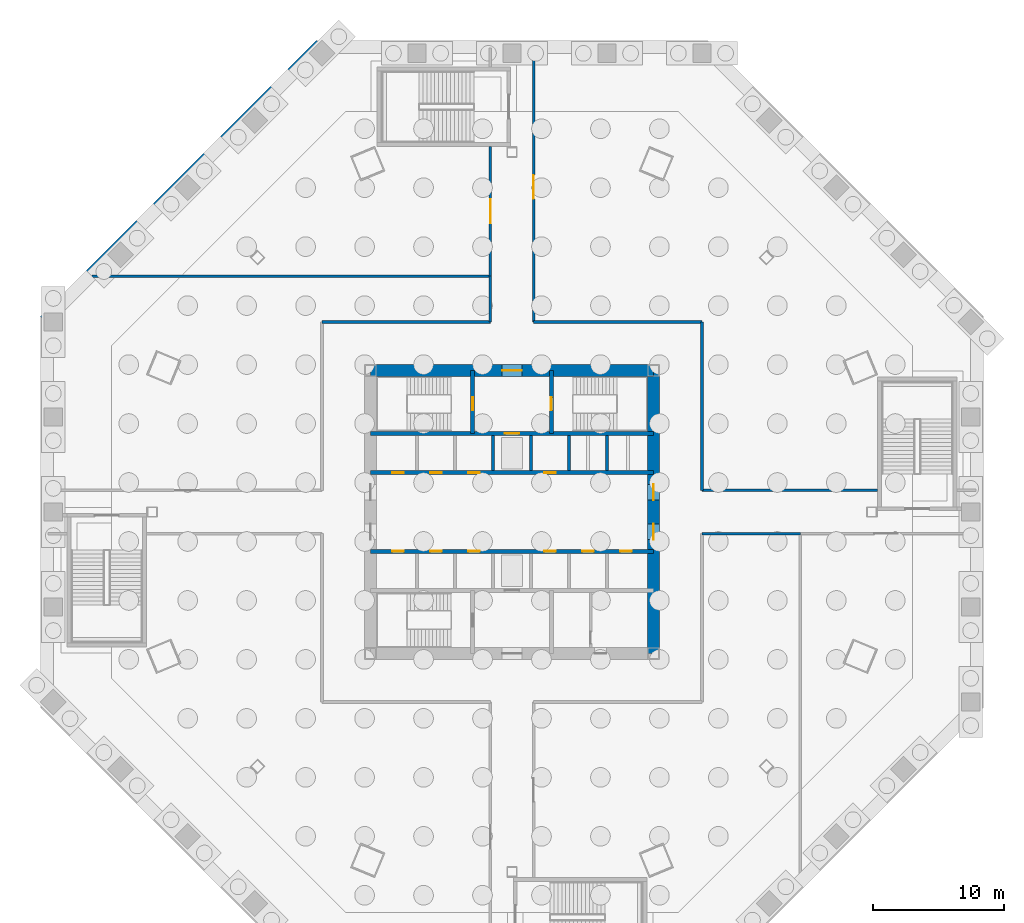
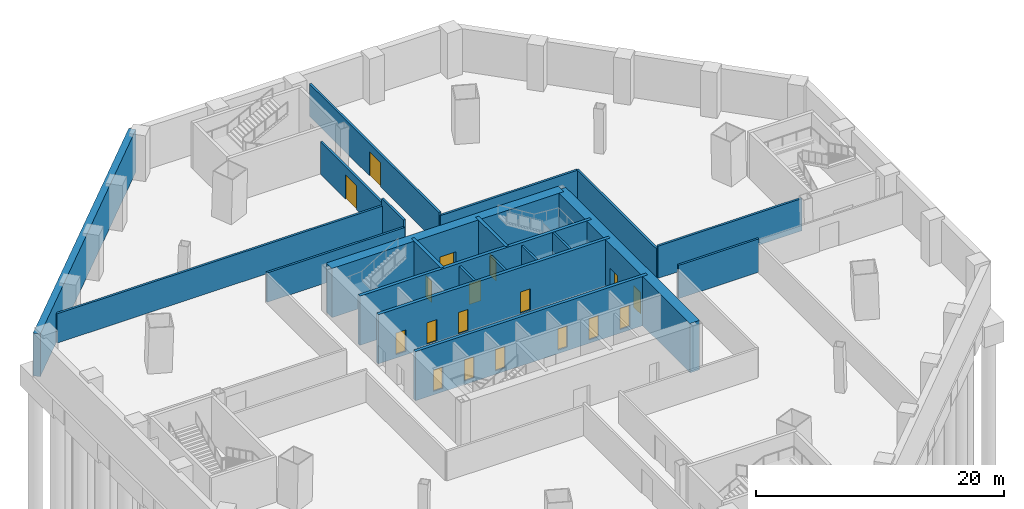
# One storey, part 5 of 11: 21 walls, 18 doors, 18 openings.
"""IFC4 building model written with IfcOpenShell, lengths in metres."""

from ifc_helpers import new_model, si_unit, direction, frame, frame_2d, origin, place, context, subcontext, project, spatial, rectangle, extrude, material, layer, layer_set, type_object, element, fill, save


model = new_model("IFC4")

# Units and contexts
model_context = context("Model", 3, precision=1e-05, world=origin(), true_north=direction((0.0, 1.0)))
body_context = subcontext(model_context, "Body", "Model", "MODEL_VIEW")
ifc_project = project(units=[si_unit("LENGTHUNIT", "METRE"), si_unit("AREAUNIT", "SQUARE_METRE"), si_unit("VOLUMEUNIT", "CUBIC_METRE"), si_unit("PLANEANGLEUNIT", "RADIAN"), si_unit("MASSUNIT", "GRAM", prefix="KILO")], contexts=[model_context])

# Site, building, storey
site_placement = place(None, origin())
site = spatial("IfcSite", under=ifc_project, at=site_placement, CompositionType="ELEMENT")
building_placement = place(site_placement, origin())
building = spatial("IfcBuilding", under=site, at=building_placement, Name="Mashrafa Tower", CompositionType="ELEMENT")
storey_placement = place(building_placement, frame((0.0, 0.0, -9.0)))
storey = spatial("IfcBuildingStorey", under=building, at=storey_placement, Name="B2", CompositionType="ELEMENT", Elevation=-9.0)

# Walls
ifc_material_1 = material(Name="Concrete C40/50", Category="concrete")
ifc_layer_1 = layer(ifc_material_1, 0.60009765625)
ifc_layer_set_1 = layer_set([ifc_layer_1], Name="Basement retaining wall 600")
wall_type_1 = type_object("IfcWallType", Name="Basement retaining wall 600", PredefinedType="SOLIDWALL", material=ifc_layer_set_1)
wall_1_placement = place(storey_placement, frame((-14.699462890625, 35.787841796875, 0.0), z_axis=(0.0, 0.0, 1.0), x_axis=(-0.707106781187, -0.707106781187, 0.0)))
element("IfcWall", 1, at=wall_1_placement, inside=storey, type_object=wall_type_1, Name="Basement retaining wall B2 north-west", PredefinedType="SOLIDWALL", context=body_context, shape_type="SweptSolid", body=[
    extrude(rectangle(XDim=29.823486328125, YDim=0.60009765625, at=frame_2d((14.91162109375, 0.0))), origin(), (0.0, 0.0, 1.0), 4.199951171875),
])
ifc_material_2 = material(Name="Concrete masonry unit", Category="masonry")
ifc_layer_2 = layer(ifc_material_2, 0.199951171875)
ifc_layer_set_2 = layer_set([ifc_layer_2], Name="Blockwork wall 200 2 hr")
wall_type_2 = type_object("IfcWallType", Name="Blockwork wall 200 2 hr", PredefinedType="PARTITIONING", material=ifc_layer_set_2)
wall_2_placement = place(storey_placement, frame((27.900390625, 1.64990234375, 0.0), z_axis=(0.0, 0.0, 1.0), x_axis=(-1.0, 0.0, 0.0)))
element("IfcWall", 2, at=wall_2_placement, inside=storey, type_object=wall_type_2, Name="Blockwork wall B2-001", PredefinedType="PARTITIONING", context=body_context, shape_type="SweptSolid", body=[
    extrude(rectangle(XDim=13.400390625, YDim=0.199951171875, at=frame_2d((6.7001953125, 0.0))), origin(), (0.0, 0.0, 1.0), 3.17919921875),
])
for number, where, z_axis, x_axis, name in (
    (3, (14.5, 1.64990234375, 0.0), (0.0, 0.0, 1.0), (0.0, 1.0, 0.0), "Blockwork wall B2-002"),
    (4, (14.5, 14.5, 0.0), (0.0, 0.0, 1.0), (-1.0, 0.0, 0.0), "Blockwork wall B2-003"),
):
    element("IfcWall", number, at=place(storey_placement, frame(where, z_axis=z_axis, x_axis=x_axis)), inside=storey, type_object=wall_type_2, Name=name, PredefinedType="PARTITIONING", context=body_context, shape_type="SweptSolid", body=[
        extrude(rectangle(XDim=12.85009765625, YDim=0.199951171875, at=frame_2d((6.425048828125, 0.0))), origin(), (0.0, 0.0, 1.0), 2.889892578125),
    ])

# Wall, opening, door
wall_3_placement = place(storey_placement, frame((1.64990234375, 14.5, 0.0), z_axis=(0.0, 0.0, 1.0), x_axis=(0.0, 1.0, 0.0)))
wall_3 = element("IfcWall", 5, at=wall_3_placement, inside=storey, type_object=wall_type_2, Name="Blockwork wall B2-004", PredefinedType="PARTITIONING", context=body_context, shape_type="SweptSolid", body=[
    extrude(rectangle(XDim=20.89501953125, YDim=0.199951171875, at=frame_2d((10.447509765625, 0.0))), origin(), (0.0, 0.0, 1.0), 3.17919921875),
])
opening_1_placement = place(wall_3_placement, frame((9.39990234375, 0.0, 0.0)))
opening_1 = element("IfcOpeningElement", 6, at=opening_1_placement, cuts=wall_3, Name="Opening B2.001", PredefinedType="OPENING", context=body_context, shape_type="SweptSolid", body=[
    extrude(rectangle(XDim=1.800048828125, YDim=2.39990234375, at=frame_2d((0.89990234375, 1.199951171875))), frame((0.0, 0.10986328125, 0.0), z_axis=(0.0, -1.0, 0.0), x_axis=(1.0, 0.0, 0.0)), (0.0, 0.0, 1.0), 0.219970703125),
])
ifc_material_3 = material(Name="Steel door", Category="steel")
door_type_1 = type_object("IfcDoorType", Name="Door pair 1800 x 2400 90 min", OperationType="DOUBLE_DOOR_SINGLE_SWING", PredefinedType="DOOR", material=ifc_material_3)
door_1_placement = place(opening_1_placement, frame((1.800048828125, 0.0, 0.0), z_axis=(0.0, 0.0, 1.0), x_axis=(-1.0, 0.0, 0.0)))
door_1 = element("IfcDoor", 7, at=door_1_placement, inside=storey, type_object=door_type_1, Name="Water Tank Room B2 door", OperationType="DOUBLE_DOOR_SINGLE_SWING", OverallHeight=2.39990234375, OverallWidth=1.800048828125, PredefinedType="DOOR", context=body_context, shape_type="SweptSolid", body=[
    extrude(rectangle(XDim=1.800048828125, YDim=2.39990234375, at=frame_2d((0.89990234375, 1.199951171875))), frame((0.0, 0.02490234375, 0.0), z_axis=(0.0, -1.0, 0.0), x_axis=(1.0, 0.0, 0.0)), (0.0, 0.0, 1.0), 0.050048828125),
])
fill(opening_1, door_1)

# Walls
wall_4_placement = place(storey_placement, frame((-1.64990234375, 18.0009765625, 0.0), z_axis=(0.0, 0.0, 1.0), x_axis=(0.0, -1.0, 0.0)))
element("IfcWall", 8, at=wall_4_placement, inside=storey, type_object=wall_type_2, Name="Blockwork wall B2-006", PredefinedType="PARTITIONING", context=body_context, shape_type="SweptSolid", body=[
    extrude(rectangle(XDim=3.5009765625, YDim=0.199951171875, at=frame_2d((1.75048828125, 0.0))), origin(), (0.0, 0.0, 1.0), 3.5830078125),
])
wall_5_placement = place(storey_placement, frame((-1.64990234375, 14.5, 0.0), z_axis=(0.0, 0.0, 1.0), x_axis=(-1.0, 0.0, 0.0)))
element("IfcWall", 9, at=wall_5_placement, inside=storey, type_object=wall_type_2, Name="Blockwork wall B2-007", PredefinedType="PARTITIONING", context=body_context, shape_type="SweptSolid", body=[
    extrude(rectangle(XDim=12.85009765625, YDim=0.199951171875, at=frame_2d((6.425048828125, 0.0))), origin(), (0.0, 0.0, 1.0), 2.889892578125),
])

# Wall, opening, door
wall_6_placement = place(storey_placement, frame((-1.64990234375, 27.900390625, 0.0), z_axis=(0.0, 0.0, 1.0), x_axis=(0.0, -1.0, 0.0)))
wall_6 = element("IfcWall", 10, at=wall_6_placement, inside=storey, type_object=wall_type_2, Name="Blockwork wall B2-010", PredefinedType="PARTITIONING", context=body_context, shape_type="SweptSolid", body=[
    extrude(rectangle(XDim=9.9013671875, YDim=0.199951171875, at=frame_2d((4.95068359375, 0.0))), origin(), (0.0, 0.0, 1.0), 3.17919921875),
])
opening_2_placement = place(wall_6_placement, frame((4.05078125, 0.0, 0.0)))
opening_2 = element("IfcOpeningElement", 11, at=opening_2_placement, cuts=wall_6, Name="Opening B2.003", PredefinedType="OPENING", context=body_context, shape_type="SweptSolid", body=[
    extrude(rectangle(XDim=1.800048828125, YDim=2.39990234375, at=frame_2d((0.89990234375, 1.199951171875))), frame((0.0, 0.10986328125, 0.0), z_axis=(0.0, -1.0, 0.0), x_axis=(1.0, 0.0, 0.0)), (0.0, 0.0, 1.0), 0.219970703125),
])
door_2_placement = place(opening_2_placement, frame((1.800048828125, 0.0, 0.0), z_axis=(0.0, 0.0, 1.0), x_axis=(-1.0, 0.0, 0.0)))
door_2 = element("IfcDoor", 12, at=door_2_placement, inside=storey, type_object=door_type_1, Name="Generator Room B2 door", OperationType="DOUBLE_DOOR_SINGLE_SWING", OverallHeight=2.39990234375, OverallWidth=1.800048828125, PredefinedType="DOOR", context=body_context, shape_type="SweptSolid", body=[
    extrude(rectangle(XDim=1.800048828125, YDim=2.39990234375, at=frame_2d((0.89990234375, 1.199951171875))), frame((0.0, 0.02490234375, 0.0), z_axis=(0.0, -1.0, 0.0), x_axis=(1.0, 0.0, 0.0)), (0.0, 0.0, 1.0), 0.050048828125),
])
fill(opening_2, door_2)

# Walls
wall_7_placement = place(storey_placement, frame((14.5, -1.64990234375, 0.0), z_axis=(0.0, 0.0, 1.0), x_axis=(1.0, 0.0, 0.0)))
element("IfcWall", 13, at=wall_7_placement, inside=storey, type_object=wall_type_2, Name="Blockwork wall B2-021", PredefinedType="PARTITIONING", context=body_context, shape_type="SweptSolid", body=[
    extrude(rectangle(XDim=7.5009765625, YDim=0.199951171875, at=frame_2d((3.75048828125, 0.0))), origin(), (0.0, 0.0, 1.0), 3.278076171875),
])
wall_8_placement = place(storey_placement, frame((-1.64990234375, 18.0, 0.0), z_axis=(0.0, 0.0, 1.0), x_axis=(-1.0, 0.0, 0.0)))
element("IfcWall", 14, at=wall_8_placement, inside=storey, type_object=wall_type_2, Name="Blockwork wall B2-023", PredefinedType="PARTITIONING", context=body_context, shape_type="SweptSolid", body=[
    extrude(rectangle(XDim=30.408203125, YDim=0.199951171875, at=frame_2d((15.2041015625, 0.0))), origin(), (0.0, 0.0, 1.0), 2.889892578125),
])

# Wall, openings, doors
ifc_material_4 = material(Name="Concrete C60/75", Category="concrete")
ifc_layer_3 = layer(ifc_material_4, 0.300048828125)
ifc_layer_set_3 = layer_set([ifc_layer_3], Name="Core wall 300 C60/75")
wall_type_3 = type_object("IfcWallType", Name="Core wall 300 C60/75", PredefinedType="SOLIDWALL", material=ifc_layer_set_3)
wall_9_placement = place(storey_placement, frame((-10.800048828125, 3.0, -0.35009765625), z_axis=(0.0, 0.0, 1.0), x_axis=(1.0, 0.0, 0.0)))
wall_9 = element("IfcWall", 15, at=wall_9_placement, inside=storey, type_object=wall_type_3, Name="Core wall CH-N B2", PredefinedType="SOLIDWALL", context=body_context, shape_type="SweptSolid", body=[
    extrude(rectangle(XDim=21.60009765625, YDim=0.300048828125, at=frame_2d((10.800048828125, 0.0))), origin(), (0.0, 0.0, 1.0), 4.85009765625),
])
opening_3_placement = place(wall_9_placement, frame((1.64990234375, 0.0, 0.35009765625)))
opening_3 = element("IfcOpeningElement", 16, at=opening_3_placement, cuts=wall_9, Name="Opening B2.018", PredefinedType="OPENING", context=body_context, shape_type="SweptSolid", body=[
    extrude(rectangle(XDim=0.89990234375, YDim=2.10009765625, at=frame_2d((0.449951171875, 1.050048828125))), frame((0.0, 0.159912109375, 0.0), z_axis=(0.0, -1.0, 0.0), x_axis=(1.0, 0.0, 0.0)), (0.0, 0.0, 1.0), 0.320068359375),
])
opening_4_placement = place(wall_9_placement, frame((4.550048828125, 0.0, 0.35009765625)))
opening_4 = element("IfcOpeningElement", 17, at=opening_4_placement, cuts=wall_9, Name="Opening B2.019", PredefinedType="OPENING", context=body_context, shape_type="SweptSolid", body=[
    extrude(rectangle(XDim=0.89990234375, YDim=2.10009765625, at=frame_2d((0.449951171875, 1.050048828125))), frame((0.0, 0.159912109375, 0.0), z_axis=(0.0, -1.0, 0.0), x_axis=(1.0, 0.0, 0.0)), (0.0, 0.0, 1.0), 0.320068359375),
])
opening_5_placement = place(wall_9_placement, frame((7.449951171875, 0.0, 0.35009765625)))
opening_5 = element("IfcOpeningElement", 18, at=opening_5_placement, cuts=wall_9, Name="Opening B2.020", PredefinedType="OPENING", context=body_context, shape_type="SweptSolid", body=[
    extrude(rectangle(XDim=0.89990234375, YDim=2.10009765625, at=frame_2d((0.449951171875, 1.050048828125))), frame((0.0, 0.159912109375, 0.0), z_axis=(0.0, -1.0, 0.0), x_axis=(1.0, 0.0, 0.0)), (0.0, 0.0, 1.0), 0.320068359375),
])
opening_6_placement = place(wall_9_placement, frame((13.25, 0.0, 0.35009765625)))
opening_6 = element("IfcOpeningElement", 19, at=opening_6_placement, cuts=wall_9, Name="Opening B2.021", PredefinedType="OPENING", context=body_context, shape_type="SweptSolid", body=[
    extrude(rectangle(XDim=0.89990234375, YDim=2.10009765625, at=frame_2d((0.449951171875, 1.050048828125))), frame((0.0, 0.159912109375, 0.0), z_axis=(0.0, -1.0, 0.0), x_axis=(1.0, 0.0, 0.0)), (0.0, 0.0, 1.0), 0.320068359375),
])
ifc_material_5 = material(Name="Timber door", Category="wood")
door_type_2 = type_object("IfcDoorType", Name="Store door 900 x 2100", OperationType="USERDEFINED", PredefinedType="DOOR", material=ifc_material_5)
door_3_placement = place(opening_3_placement, origin())
door_3 = element("IfcDoor", 20, at=door_3_placement, inside=storey, type_object=door_type_2, Name="Services Store B2-A1 door", OperationType="SINGLE_SWING_RIGHT", OverallHeight=2.10009765625, OverallWidth=0.89990234375, PredefinedType="DOOR", context=body_context, shape_type="SweptSolid", body=[
    extrude(rectangle(XDim=0.89990234375, YDim=2.10009765625, at=frame_2d((0.449951171875, 1.050048828125))), frame((0.0, 0.02490234375, 0.0), z_axis=(0.0, -1.0, 0.0), x_axis=(1.0, 0.0, 0.0)), (0.0, 0.0, 1.0), 0.050048828125),
])
fill(opening_3, door_3)
door_4_placement = place(opening_4_placement, origin())
door_4 = element("IfcDoor", 21, at=door_4_placement, inside=storey, type_object=door_type_2, Name="Services Store B2-A2 door", OperationType="SINGLE_SWING_LEFT", OverallHeight=2.10009765625, OverallWidth=0.89990234375, PredefinedType="DOOR", context=body_context, shape_type="SweptSolid", body=[
    extrude(rectangle(XDim=0.89990234375, YDim=2.10009765625, at=frame_2d((0.449951171875, 1.050048828125))), frame((0.0, 0.02490234375, 0.0), z_axis=(0.0, -1.0, 0.0), x_axis=(1.0, 0.0, 0.0)), (0.0, 0.0, 1.0), 0.050048828125),
])
fill(opening_4, door_4)
door_5_placement = place(opening_5_placement, origin())
door_5 = element("IfcDoor", 22, at=door_5_placement, inside=storey, type_object=door_type_2, Name="Services Store B2-A3 door", OperationType="SINGLE_SWING_LEFT", OverallHeight=2.10009765625, OverallWidth=0.89990234375, PredefinedType="DOOR", context=body_context, shape_type="SweptSolid", body=[
    extrude(rectangle(XDim=0.89990234375, YDim=2.10009765625, at=frame_2d((0.449951171875, 1.050048828125))), frame((0.0, 0.02490234375, 0.0), z_axis=(0.0, -1.0, 0.0), x_axis=(1.0, 0.0, 0.0)), (0.0, 0.0, 1.0), 0.050048828125),
])
fill(opening_5, door_5)
door_6_placement = place(opening_6_placement, origin())
door_6 = element("IfcDoor", 23, at=door_6_placement, inside=storey, type_object=door_type_2, Name="Services Store B2-A4 door", OperationType="SINGLE_SWING_LEFT", OverallHeight=2.10009765625, OverallWidth=0.89990234375, PredefinedType="DOOR", context=body_context, shape_type="SweptSolid", body=[
    extrude(rectangle(XDim=0.89990234375, YDim=2.10009765625, at=frame_2d((0.449951171875, 1.050048828125))), frame((0.0, 0.02490234375, 0.0), z_axis=(0.0, -1.0, 0.0), x_axis=(1.0, 0.0, 0.0)), (0.0, 0.0, 1.0), 0.050048828125),
])
fill(opening_6, door_6)

# Wall, opening, door
wall_10_placement = place(storey_placement, frame((-10.800048828125, 6.0, -0.35009765625), z_axis=(0.0, 0.0, 1.0), x_axis=(1.0, 0.0, 0.0)))
wall_10 = element("IfcWall", 24, at=wall_10_placement, inside=storey, type_object=wall_type_3, Name="Core wall CB-N B2", PredefinedType="SOLIDWALL", context=body_context, shape_type="SweptSolid", body=[
    extrude(rectangle(XDim=21.60009765625, YDim=0.300048828125, at=frame_2d((10.800048828125, 0.0))), origin(), (0.0, 0.0, 1.0), 4.85009765625),
])
opening_7_placement = place(wall_10_placement, frame((10.25, 0.0, 0.35009765625)))
opening_7 = element("IfcOpeningElement", 25, at=opening_7_placement, cuts=wall_10, Name="Opening B2.F1", PredefinedType="OPENING", context=body_context, shape_type="SweptSolid", body=[
    extrude(rectangle(XDim=1.10009765625, YDim=2.10009765625, at=frame_2d((0.550048828125, 1.050048828125))), frame((0.0, 0.159912109375, 0.0), z_axis=(0.0, -1.0, 0.0), x_axis=(1.0, 0.0, 0.0)), (0.0, 0.0, 1.0), 0.320068359375),
])
ifc_material_6 = material(Name="Steel door", Category="steel")
door_type_3 = type_object("IfcDoorType", Name="Lift landing door 1100 x 2100 90 min", OperationType="DOUBLE_DOOR_SLIDING", PredefinedType="DOOR", material=ifc_material_6)
door_7_placement = place(opening_7_placement, origin())
door_7 = element("IfcDoor", 26, at=door_7_placement, inside=storey, type_object=door_type_3, Name="Lift landing door F1 B2", OperationType="DOUBLE_DOOR_SLIDING", OverallHeight=2.10009765625, OverallWidth=1.10009765625, PredefinedType="DOOR", context=body_context, shape_type="SweptSolid", body=[
    extrude(rectangle(XDim=1.10009765625, YDim=2.10009765625, at=frame_2d((0.550048828125, 1.050048828125))), frame((0.0, 0.02490234375, 0.0), z_axis=(0.0, -1.0, 0.0), x_axis=(1.0, 0.0, 0.0)), (0.0, 0.0, 1.0), 0.050048828125),
])
fill(opening_7, door_7)

wall_11_placement = place(storey_placement, frame((-3.0, 6.0, -0.35009765625), z_axis=(0.0, 0.0, 1.0), x_axis=(0.0, 1.0, 0.0)))
wall_11 = element("IfcWall", 27, at=wall_11_placement, inside=storey, type_object=wall_type_3, Name="Core wall CX-NW B2", PredefinedType="SOLIDWALL", context=body_context, shape_type="SweptSolid", body=[
    extrude(rectangle(XDim=4.800048828125, YDim=0.300048828125, at=frame_2d((2.39990234375, 0.0))), origin(), (0.0, 0.0, 1.0), 4.85009765625),
])
opening_8_placement = place(wall_11_placement, frame((1.75, 0.0, 0.35009765625)))
opening_8 = element("IfcOpeningElement", 28, at=opening_8_placement, cuts=wall_11, Name="Opening B2.013", PredefinedType="OPENING", context=body_context, shape_type="SweptSolid", body=[
    extrude(rectangle(XDim=1.0, YDim=2.10009765625, at=frame_2d((0.5, 1.050048828125))), frame((0.0, 0.159912109375, 0.0), z_axis=(0.0, -1.0, 0.0), x_axis=(1.0, 0.0, 0.0)), (0.0, 0.0, 1.0), 0.320068359375),
])
ifc_material_7 = material(Name="Steel door", Category="steel")
door_type_4 = type_object("IfcDoorType", Name="Stair door 1000 x 2100 90 min", OperationType="USERDEFINED", PredefinedType="DOOR", material=ifc_material_7)
door_8_placement = place(opening_8_placement, origin())
door_8 = element("IfcDoor", 29, at=door_8_placement, inside=storey, type_object=door_type_4, Name="Stair S1 door B2", OperationType="SINGLE_SWING_LEFT", OverallHeight=2.10009765625, OverallWidth=1.0, PredefinedType="DOOR", context=body_context, shape_type="SweptSolid", body=[
    extrude(rectangle(XDim=1.0, YDim=2.10009765625, at=frame_2d((0.5, 1.050048828125))), frame((0.0, 0.02490234375, 0.0), z_axis=(0.0, -1.0, 0.0), x_axis=(1.0, 0.0, 0.0)), (0.0, 0.0, 1.0), 0.050048828125),
])
fill(opening_8, door_8)

wall_12_placement = place(storey_placement, frame((3.0, 6.0, -0.35009765625), z_axis=(0.0, 0.0, 1.0), x_axis=(0.0, 1.0, 0.0)))
wall_12 = element("IfcWall", 30, at=wall_12_placement, inside=storey, type_object=wall_type_3, Name="Core wall CX-NE B2", PredefinedType="SOLIDWALL", context=body_context, shape_type="SweptSolid", body=[
    extrude(rectangle(XDim=4.800048828125, YDim=0.300048828125, at=frame_2d((2.39990234375, 0.0))), origin(), (0.0, 0.0, 1.0), 4.85009765625),
])
opening_9_placement = place(wall_12_placement, frame((1.75, 0.0, 0.35009765625)))
opening_9 = element("IfcOpeningElement", 31, at=opening_9_placement, cuts=wall_12, Name="Opening B2.014", PredefinedType="OPENING", context=body_context, shape_type="SweptSolid", body=[
    extrude(rectangle(XDim=1.0, YDim=2.10009765625, at=frame_2d((0.5, 1.050048828125))), frame((0.0, 0.159912109375, 0.0), z_axis=(0.0, -1.0, 0.0), x_axis=(1.0, 0.0, 0.0)), (0.0, 0.0, 1.0), 0.320068359375),
])
door_9_placement = place(opening_9_placement, frame((1.0, 0.0, 0.0), z_axis=(0.0, 0.0, 1.0), x_axis=(-1.0, 0.0, 0.0)))
door_9 = element("IfcDoor", 32, at=door_9_placement, inside=storey, type_object=door_type_4, Name="Stair S2 door B2", OperationType="SINGLE_SWING_RIGHT", OverallHeight=2.10009765625, OverallWidth=1.0, PredefinedType="DOOR", context=body_context, shape_type="SweptSolid", body=[
    extrude(rectangle(XDim=1.0, YDim=2.10009765625, at=frame_2d((0.5, 1.050048828125))), frame((0.0, 0.02490234375, 0.0), z_axis=(0.0, -1.0, 0.0), x_axis=(1.0, 0.0, 0.0)), (0.0, 0.0, 1.0), 0.050048828125),
])
fill(opening_9, door_9)

# Wall, openings, doors
wall_13_placement = place(storey_placement, frame((-10.800048828125, -3.0, -0.35009765625), z_axis=(0.0, 0.0, 1.0), x_axis=(1.0, 0.0, 0.0)))
wall_13 = element("IfcWall", 33, at=wall_13_placement, inside=storey, type_object=wall_type_3, Name="Core wall CH-S B2", PredefinedType="SOLIDWALL", context=body_context, shape_type="SweptSolid", body=[
    extrude(rectangle(XDim=21.60009765625, YDim=0.300048828125, at=frame_2d((10.800048828125, 0.0))), origin(), (0.0, 0.0, 1.0), 4.85009765625),
])
opening_10_placement = place(wall_13_placement, frame((1.64990234375, 0.0, 0.35009765625)))
opening_10 = element("IfcOpeningElement", 34, at=opening_10_placement, cuts=wall_13, Name="Opening B2.022", PredefinedType="OPENING", context=body_context, shape_type="SweptSolid", body=[
    extrude(rectangle(XDim=0.89990234375, YDim=2.10009765625, at=frame_2d((0.449951171875, 1.050048828125))), frame((0.0, 0.159912109375, 0.0), z_axis=(0.0, -1.0, 0.0), x_axis=(1.0, 0.0, 0.0)), (0.0, 0.0, 1.0), 0.320068359375),
])
opening_11_placement = place(wall_13_placement, frame((4.550048828125, 0.0, 0.35009765625)))
opening_11 = element("IfcOpeningElement", 35, at=opening_11_placement, cuts=wall_13, Name="Opening B2.023", PredefinedType="OPENING", context=body_context, shape_type="SweptSolid", body=[
    extrude(rectangle(XDim=0.89990234375, YDim=2.10009765625, at=frame_2d((0.449951171875, 1.050048828125))), frame((0.0, 0.159912109375, 0.0), z_axis=(0.0, -1.0, 0.0), x_axis=(1.0, 0.0, 0.0)), (0.0, 0.0, 1.0), 0.320068359375),
])
opening_12_placement = place(wall_13_placement, frame((7.449951171875, 0.0, 0.35009765625)))
opening_12 = element("IfcOpeningElement", 36, at=opening_12_placement, cuts=wall_13, Name="Opening B2.024", PredefinedType="OPENING", context=body_context, shape_type="SweptSolid", body=[
    extrude(rectangle(XDim=0.89990234375, YDim=2.10009765625, at=frame_2d((0.449951171875, 1.050048828125))), frame((0.0, 0.159912109375, 0.0), z_axis=(0.0, -1.0, 0.0), x_axis=(1.0, 0.0, 0.0)), (0.0, 0.0, 1.0), 0.320068359375),
])
opening_13_placement = place(wall_13_placement, frame((13.25, 0.0, 0.35009765625)))
opening_13 = element("IfcOpeningElement", 37, at=opening_13_placement, cuts=wall_13, Name="Opening B2.025", PredefinedType="OPENING", context=body_context, shape_type="SweptSolid", body=[
    extrude(rectangle(XDim=0.89990234375, YDim=2.10009765625, at=frame_2d((0.449951171875, 1.050048828125))), frame((0.0, 0.159912109375, 0.0), z_axis=(0.0, -1.0, 0.0), x_axis=(1.0, 0.0, 0.0)), (0.0, 0.0, 1.0), 0.320068359375),
])
opening_14_placement = place(wall_13_placement, frame((16.14990234375, 0.0, 0.35009765625)))
opening_14 = element("IfcOpeningElement", 38, at=opening_14_placement, cuts=wall_13, Name="Opening B2.026", PredefinedType="OPENING", context=body_context, shape_type="SweptSolid", body=[
    extrude(rectangle(XDim=0.89990234375, YDim=2.10009765625, at=frame_2d((0.449951171875, 1.050048828125))), frame((0.0, 0.159912109375, 0.0), z_axis=(0.0, -1.0, 0.0), x_axis=(1.0, 0.0, 0.0)), (0.0, 0.0, 1.0), 0.320068359375),
])
opening_15_placement = place(wall_13_placement, frame((19.050048828125, 0.0, 0.35009765625)))
opening_15 = element("IfcOpeningElement", 39, at=opening_15_placement, cuts=wall_13, Name="Opening B2.027", PredefinedType="OPENING", context=body_context, shape_type="SweptSolid", body=[
    extrude(rectangle(XDim=0.89990234375, YDim=2.10009765625, at=frame_2d((0.449951171875, 1.050048828125))), frame((0.0, 0.159912109375, 0.0), z_axis=(0.0, -1.0, 0.0), x_axis=(1.0, 0.0, 0.0)), (0.0, 0.0, 1.0), 0.320068359375),
])
door_10_placement = place(opening_10_placement, frame((0.89990234375, 0.0, 0.0), z_axis=(0.0, 0.0, 1.0), x_axis=(-1.0, 0.0, 0.0)))
door_10 = element("IfcDoor", 40, at=door_10_placement, inside=storey, type_object=door_type_2, Name="Services Store B2-B1 door", OperationType="SINGLE_SWING_LEFT", OverallHeight=2.10009765625, OverallWidth=0.89990234375, PredefinedType="DOOR", context=body_context, shape_type="SweptSolid", body=[
    extrude(rectangle(XDim=0.89990234375, YDim=2.10009765625, at=frame_2d((0.449951171875, 1.050048828125))), frame((0.0, 0.02490234375, 0.0), z_axis=(0.0, -1.0, 0.0), x_axis=(1.0, 0.0, 0.0)), (0.0, 0.0, 1.0), 0.050048828125),
])
fill(opening_10, door_10)
door_11_placement = place(opening_11_placement, frame((0.89990234375, 0.0, 0.0), z_axis=(0.0, 0.0, 1.0), x_axis=(-1.0, 0.0, 0.0)))
door_11 = element("IfcDoor", 41, at=door_11_placement, inside=storey, type_object=door_type_2, Name="Services Store B2-B2 door", OperationType="SINGLE_SWING_RIGHT", OverallHeight=2.10009765625, OverallWidth=0.89990234375, PredefinedType="DOOR", context=body_context, shape_type="SweptSolid", body=[
    extrude(rectangle(XDim=0.89990234375, YDim=2.10009765625, at=frame_2d((0.449951171875, 1.050048828125))), frame((0.0, 0.02490234375, 0.0), z_axis=(0.0, -1.0, 0.0), x_axis=(1.0, 0.0, 0.0)), (0.0, 0.0, 1.0), 0.050048828125),
])
fill(opening_11, door_11)
door_12_placement = place(opening_12_placement, frame((0.89990234375, 0.0, 0.0), z_axis=(0.0, 0.0, 1.0), x_axis=(-1.0, 0.0, 0.0)))
door_12 = element("IfcDoor", 42, at=door_12_placement, inside=storey, type_object=door_type_2, Name="Services Store B2-B3 door", OperationType="SINGLE_SWING_RIGHT", OverallHeight=2.10009765625, OverallWidth=0.89990234375, PredefinedType="DOOR", context=body_context, shape_type="SweptSolid", body=[
    extrude(rectangle(XDim=0.89990234375, YDim=2.10009765625, at=frame_2d((0.449951171875, 1.050048828125))), frame((0.0, 0.02490234375, 0.0), z_axis=(0.0, -1.0, 0.0), x_axis=(1.0, 0.0, 0.0)), (0.0, 0.0, 1.0), 0.050048828125),
])
fill(opening_12, door_12)
door_13_placement = place(opening_13_placement, frame((0.89990234375, 0.0, 0.0), z_axis=(0.0, 0.0, 1.0), x_axis=(-1.0, 0.0, 0.0)))
door_13 = element("IfcDoor", 43, at=door_13_placement, inside=storey, type_object=door_type_2, Name="Services Store B2-B4 door", OperationType="SINGLE_SWING_RIGHT", OverallHeight=2.10009765625, OverallWidth=0.89990234375, PredefinedType="DOOR", context=body_context, shape_type="SweptSolid", body=[
    extrude(rectangle(XDim=0.89990234375, YDim=2.10009765625, at=frame_2d((0.449951171875, 1.050048828125))), frame((0.0, 0.02490234375, 0.0), z_axis=(0.0, -1.0, 0.0), x_axis=(1.0, 0.0, 0.0)), (0.0, 0.0, 1.0), 0.050048828125),
])
fill(opening_13, door_13)
door_14_placement = place(opening_14_placement, frame((0.89990234375, 0.0, 0.0), z_axis=(0.0, 0.0, 1.0), x_axis=(-1.0, 0.0, 0.0)))
door_14 = element("IfcDoor", 44, at=door_14_placement, inside=storey, type_object=door_type_2, Name="Services Store B2-R1 door", OperationType="SINGLE_SWING_RIGHT", OverallHeight=2.10009765625, OverallWidth=0.89990234375, PredefinedType="DOOR", context=body_context, shape_type="SweptSolid", body=[
    extrude(rectangle(XDim=0.89990234375, YDim=2.10009765625, at=frame_2d((0.449951171875, 1.050048828125))), frame((0.0, 0.02490234375, 0.0), z_axis=(0.0, -1.0, 0.0), x_axis=(1.0, 0.0, 0.0)), (0.0, 0.0, 1.0), 0.050048828125),
])
fill(opening_14, door_14)
door_15_placement = place(opening_15_placement, frame((0.89990234375, 0.0, 0.0), z_axis=(0.0, 0.0, 1.0), x_axis=(-1.0, 0.0, 0.0)))
door_15 = element("IfcDoor", 45, at=door_15_placement, inside=storey, type_object=door_type_2, Name="Services Store B2-R2 door", OperationType="SINGLE_SWING_RIGHT", OverallHeight=2.10009765625, OverallWidth=0.89990234375, PredefinedType="DOOR", context=body_context, shape_type="SweptSolid", body=[
    extrude(rectangle(XDim=0.89990234375, YDim=2.10009765625, at=frame_2d((0.449951171875, 1.050048828125))), frame((0.0, 0.02490234375, 0.0), z_axis=(0.0, -1.0, 0.0), x_axis=(1.0, 0.0, 0.0)), (0.0, 0.0, 1.0), 0.050048828125),
])
fill(opening_15, door_15)

ifc_material_8 = material(Name="Concrete C60/75", Category="concrete")
ifc_layer_4 = layer(ifc_material_8, 0.89990234375)
ifc_layer_set_4 = layer_set([ifc_layer_4], Name="Core wall 900 C60/75")
wall_type_4 = type_object("IfcWallType", Name="Core wall 900 C60/75", PredefinedType="SOLIDWALL", material=ifc_layer_set_4)
wall_14_placement = place(storey_placement, frame((10.800048828125, -10.800048828125, -0.35009765625), z_axis=(0.0, 0.0, 1.0), x_axis=(0.0, 1.0, 0.0)))
wall_14 = element("IfcWall", 46, at=wall_14_placement, inside=storey, type_object=wall_type_4, Name="Core wall CW-E B2", PredefinedType="SOLIDWALL", context=body_context, shape_type="SweptSolid", body=[
    extrude(rectangle(XDim=21.60009765625, YDim=0.89990234375, at=frame_2d((10.800048828125, 0.0))), origin(), (0.0, 0.0, 1.0), 4.85009765625),
])
opening_16_placement = place(wall_14_placement, frame((11.699951171875, 0.0, 0.35009765625)))
opening_16 = element("IfcOpeningElement", 47, at=opening_16_placement, cuts=wall_14, Name="Opening B2.007", PredefinedType="OPENING", context=body_context, shape_type="SweptSolid", body=[
    extrude(rectangle(XDim=1.199951171875, YDim=2.10009765625, at=frame_2d((0.60009765625, 1.050048828125))), frame((0.0, 0.4599609375, 0.0), z_axis=(0.0, -1.0, 0.0), x_axis=(1.0, 0.0, 0.0)), (0.0, 0.0, 1.0), 0.919921875),
])
opening_17_placement = place(wall_14_placement, frame((8.699951171875, 0.0, 0.35009765625)))
opening_17 = element("IfcOpeningElement", 48, at=opening_17_placement, cuts=wall_14, Name="Opening B2.009", PredefinedType="OPENING", context=body_context, shape_type="SweptSolid", body=[
    extrude(rectangle(XDim=1.199951171875, YDim=2.10009765625, at=frame_2d((0.60009765625, 1.050048828125))), frame((0.0, 0.4599609375, 0.0), z_axis=(0.0, -1.0, 0.0), x_axis=(1.0, 0.0, 0.0)), (0.0, 0.0, 1.0), 0.919921875),
])
ifc_material_9 = material(Name="Steel door", Category="steel")
door_type_5 = type_object("IfcDoorType", Name="Lift hall door 1200 x 2100 90 min", OperationType="USERDEFINED", PredefinedType="DOOR", material=ifc_material_9)
door_16_placement = place(opening_16_placement, frame((1.199951171875, 0.0, 0.0), z_axis=(0.0, 0.0, 1.0), x_axis=(-1.0, 0.0, 0.0)))
door_16 = element("IfcDoor", 49, at=door_16_placement, inside=storey, type_object=door_type_5, Name="Lift hall door east B2", OperationType="SINGLE_SWING_LEFT", OverallHeight=2.10009765625, OverallWidth=1.199951171875, PredefinedType="DOOR", context=body_context, shape_type="SweptSolid", body=[
    extrude(rectangle(XDim=1.199951171875, YDim=2.10009765625, at=frame_2d((0.60009765625, 1.050048828125))), frame((0.0, 0.02490234375, 0.0), z_axis=(0.0, -1.0, 0.0), x_axis=(1.0, 0.0, 0.0)), (0.0, 0.0, 1.0), 0.050048828125),
])
fill(opening_16, door_16)
door_17_placement = place(opening_17_placement, frame((1.199951171875, 0.0, 0.0), z_axis=(0.0, 0.0, 1.0), x_axis=(-1.0, 0.0, 0.0)))
door_17 = element("IfcDoor", 50, at=door_17_placement, inside=storey, type_object=door_type_5, Name="Lift hall door east B2", OperationType="SINGLE_SWING_RIGHT", OverallHeight=2.10009765625, OverallWidth=1.199951171875, PredefinedType="DOOR", context=body_context, shape_type="SweptSolid", body=[
    extrude(rectangle(XDim=1.199951171875, YDim=2.10009765625, at=frame_2d((0.60009765625, 1.050048828125))), frame((0.0, 0.02490234375, 0.0), z_axis=(0.0, -1.0, 0.0), x_axis=(1.0, 0.0, 0.0)), (0.0, 0.0, 1.0), 0.050048828125),
])
fill(opening_17, door_17)

# Wall, opening, door
wall_15_placement = place(storey_placement, frame((10.800048828125, 10.800048828125, -0.35009765625), z_axis=(0.0, 0.0, 1.0), x_axis=(-1.0, 0.0, 0.0)))
wall_15 = element("IfcWall", 51, at=wall_15_placement, inside=storey, type_object=wall_type_4, Name="Core wall CW-N B2", PredefinedType="SOLIDWALL", context=body_context, shape_type="SweptSolid", body=[
    extrude(rectangle(XDim=21.60009765625, YDim=0.89990234375, at=frame_2d((10.800048828125, 0.0))), origin(), (0.0, 0.0, 1.0), 4.85009765625),
])
opening_18_placement = place(wall_15_placement, frame((10.050048828125, 0.0, 0.35009765625)))
opening_18 = element("IfcOpeningElement", 52, at=opening_18_placement, cuts=wall_15, Name="Opening B2.011", PredefinedType="OPENING", context=body_context, shape_type="SweptSolid", body=[
    extrude(rectangle(XDim=1.5, YDim=2.10009765625, at=frame_2d((0.75, 1.050048828125))), frame((0.0, 0.4599609375, 0.0), z_axis=(0.0, -1.0, 0.0), x_axis=(1.0, 0.0, 0.0)), (0.0, 0.0, 1.0), 0.919921875),
])
ifc_material_10 = material(Name="Steel door", Category="steel")
door_type_6 = type_object("IfcDoorType", Name="Lobby door pair 1500 x 2100 90 min", OperationType="DOUBLE_DOOR_SINGLE_SWING", PredefinedType="DOOR", material=ifc_material_10)
door_18_placement = place(opening_18_placement, frame((1.5, 0.0, 0.0), z_axis=(0.0, 0.0, 1.0), x_axis=(-1.0, 0.0, 0.0)))
door_18 = element("IfcDoor", 53, at=door_18_placement, inside=storey, type_object=door_type_6, Name="Fire-fighting lobby F1 door B2", OperationType="DOUBLE_DOOR_SINGLE_SWING", OverallHeight=2.10009765625, OverallWidth=1.5, PredefinedType="DOOR", context=body_context, shape_type="SweptSolid", body=[
    extrude(rectangle(XDim=1.5, YDim=2.10009765625, at=frame_2d((0.75, 1.050048828125))), frame((0.0, 0.02490234375, 0.0), z_axis=(0.0, -1.0, 0.0), x_axis=(1.0, 0.0, 0.0)), (0.0, 0.0, 1.0), 0.050048828125),
])
fill(opening_18, door_18)

# Walls
ifc_material_11 = material(Name="Gypsum shaft wall on steel studs", Category="steel")
ifc_layer_5 = layer(ifc_material_11, 0.199951171875)
ifc_layer_set_5 = layer_set([ifc_layer_5], Name="Shaft divider wall 200 2 hr")
wall_type_5 = type_object("IfcWallType", Name="Shaft divider wall 200 2 hr", PredefinedType="PARTITIONING", material=ifc_layer_set_5)
for number, where, z_axis, x_axis, name in (
    (54, (-1.449951171875, 3.14990234375, 0.0), (0.0, 0.0, 1.0), (0.0, 1.0, 0.0), "Shaft divider wall N3 B2"),
    (55, (1.449951171875, 3.14990234375, 0.0), (0.0, 0.0, 1.0), (0.0, 1.0, 0.0), "Shaft divider wall N4 B2"),
    (56, (4.35009765625, 3.14990234375, 0.0), (0.0, 0.0, 1.0), (0.0, 1.0, 0.0), "Shaft divider wall N5 B2"),
):
    element("IfcWall", number, at=place(storey_placement, frame(where, z_axis=z_axis, x_axis=x_axis)), inside=storey, type_object=wall_type_5, Name=name, PredefinedType="PARTITIONING", context=body_context, shape_type="SweptSolid", body=[
        extrude(rectangle(XDim=2.7001953125, YDim=0.199951171875, at=frame_2d((1.35009765625, 0.0))), origin(), (0.0, 0.0, 1.0), 4.199951171875),
    ])
wall_16_placement = place(storey_placement, frame((7.25, 3.14990234375, 0.0), z_axis=(0.0, 0.0, 1.0), x_axis=(0.0, 1.0, 0.0)))
element("IfcWall", 57, at=wall_16_placement, inside=storey, type_object=wall_type_5, Name="Shaft divider wall N6 B2", PredefinedType="PARTITIONING", context=body_context, shape_type="SweptSolid", body=[
    extrude(rectangle(XDim=2.7001953125, YDim=0.199951171875, at=frame_2d((1.35009765625, 0.0))), origin(), (0.0, 0.0, 1.0), 4.5),
])

save(model, "model.ifc")
